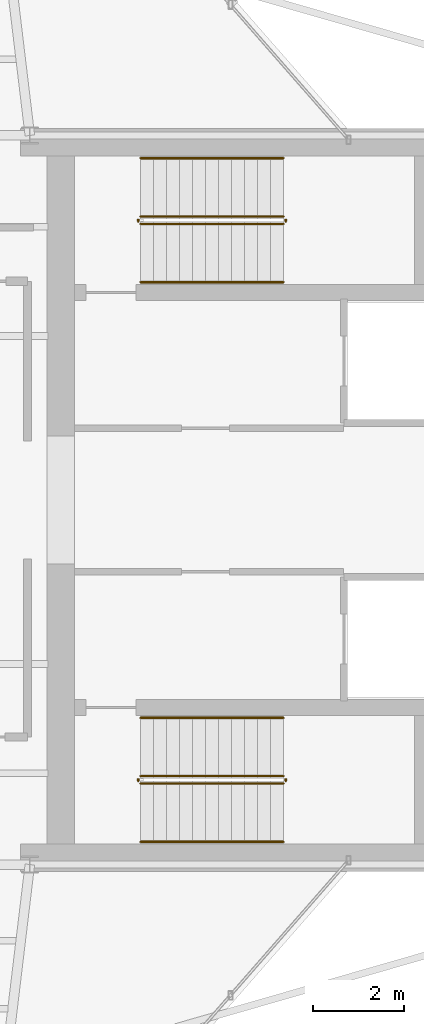
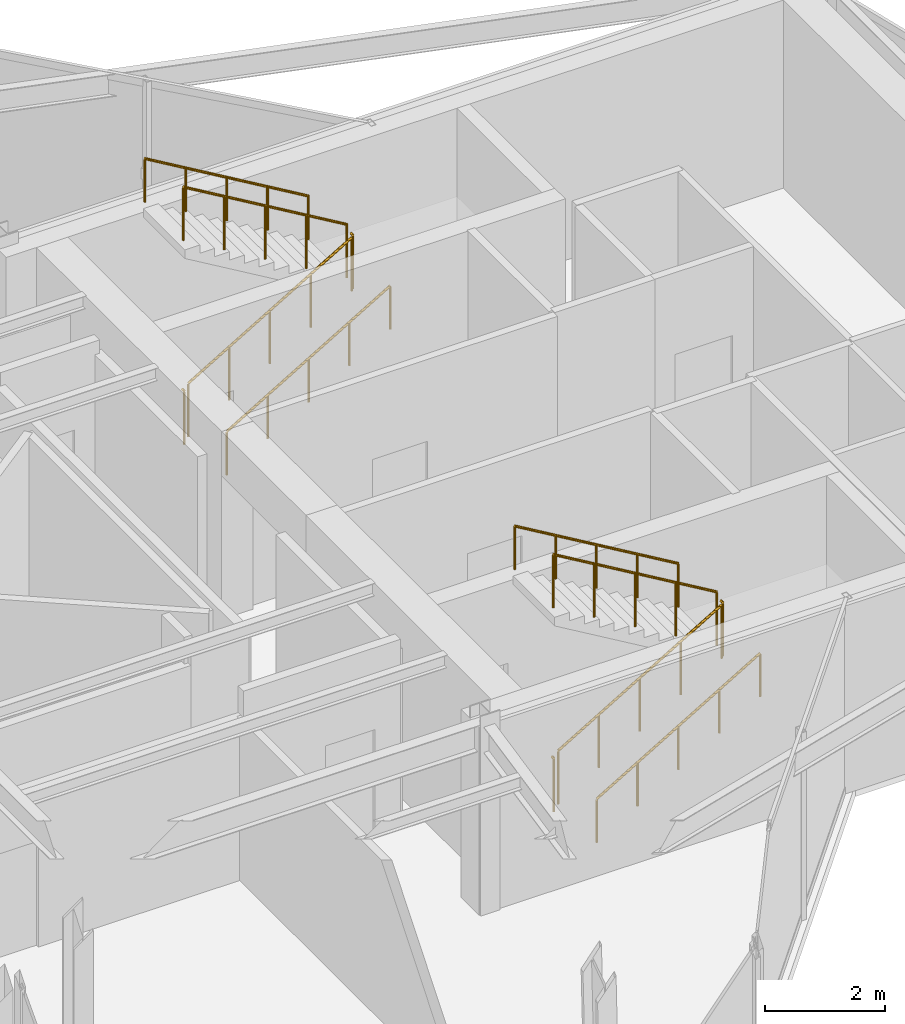
# One storey, part 13 of 13: 12 railings.
"""IFC4 building model written with IfcOpenShell, lengths in metres."""

from ifc_helpers import new_model, si_unit, direction, frame, origin, origin_2d, place, context, subcontext, project, spatial, circle, extrude, material, type_object, element, save


model = new_model("IFC4")

# Units and contexts
model_context = context("Model", 3, precision=1e-05, world=origin(), true_north=direction((0.0, 1.0)))
body_context = subcontext(model_context, "Body", "Model", "MODEL_VIEW")
ifc_project = project(units=[si_unit("LENGTHUNIT", "METRE"), si_unit("AREAUNIT", "SQUARE_METRE"), si_unit("VOLUMEUNIT", "CUBIC_METRE"), si_unit("PLANEANGLEUNIT", "RADIAN"), si_unit("MASSUNIT", "GRAM", prefix="KILO")], contexts=[model_context])

# Site, building, storey
site_placement = place(None, origin())
site = spatial("IfcSite", under=ifc_project, at=site_placement, CompositionType="ELEMENT")
building_placement = place(site_placement, origin())
building = spatial("IfcBuilding", under=site, at=building_placement, Name="Veymaron Broadcast Tower", CompositionType="ELEMENT")
storey_placement = place(building_placement, frame((0.0, 0.0, 274.949951171875)))
storey = spatial("IfcBuildingStorey", under=building, at=storey_placement, Name="L64", CompositionType="ELEMENT", Elevation=274.949951171875)

# Railings
ifc_material_1 = material(Name="Brushed stainless steel AISI 304", Category="steel")
railing_type_1 = type_object("IfcRailingType", Name="RAIL-STAIR-HR", PredefinedType="HANDRAIL", material=ifc_material_1)
railing_1_placement = place(storey_placement, frame((41.429931640625, 28.780029296875, 0.168701171875)))
element("IfcRailing", 1, at=railing_1_placement, inside=storey, type_object=railing_type_1, Name="L64 ST1 stair handrail 1", PredefinedType="HANDRAIL", context=body_context, shape_type="SweptSolid", body=[
    extrude(circle(Radius=0.02392578125, at=origin_2d()), frame((0.0, 0.0, 0.8759765625), z_axis=(0.860452582533, 0.0, 0.509530522356), x_axis=(0.0, 1.0, 0.0)), (0.0, 0.0, 1.0), 3.6435546875),
    extrude(circle(Radius=0.02099609375, at=origin_2d()), origin(), (0.0, 0.0, 1.0), 0.851806640625),
    extrude(circle(Radius=0.02099609375, at=origin_2d()), frame((0.78369140625, 0.0, 0.464111328125)), (0.0, 0.0, 1.0), 0.851806640625),
    extrude(circle(Radius=0.02099609375, at=origin_2d()), frame((1.5673828125, 0.0, 0.92822265625)), (0.0, 0.0, 1.0), 0.851806640625),
    extrude(circle(Radius=0.02099609375, at=origin_2d()), frame((2.351318359375, 0.0, 1.392333984375)), (0.0, 0.0, 1.0), 0.851806640625),
    extrude(circle(Radius=0.02099609375, at=origin_2d()), frame((3.135009765625, 0.0, 1.8564453125)), (0.0, 0.0, 1.0), 0.851806640625),
])
railing_2_placement = place(storey_placement, frame((44.56494140625, 31.5, 2.19384765625)))
element("IfcRailing", 2, at=railing_2_placement, inside=storey, type_object=railing_type_1, Name="L64 ST1 stair handrail 2", PredefinedType="HANDRAIL", context=body_context, shape_type="SweptSolid", body=[
    extrude(circle(Radius=0.02392578125, at=origin_2d()), frame((0.0, 0.0, 0.8759765625), z_axis=(-0.860481960309, 0.0, 0.509480908359), x_axis=(0.0, -1.0, 0.0)), (0.0, 0.0, 1.0), 3.643310546875),
    extrude(circle(Radius=0.02099609375, at=origin_2d()), origin(), (0.0, 0.0, 1.0), 0.851806640625),
    extrude(circle(Radius=0.02099609375, at=origin_2d()), frame((-0.78369140625, 0.0, 0.464111328125)), (0.0, 0.0, 1.0), 0.851806640625),
    extrude(circle(Radius=0.02099609375, at=origin_2d()), frame((-1.5673828125, 0.0, 0.92822265625)), (0.0, 0.0, 1.0), 0.851806640625),
    extrude(circle(Radius=0.02099609375, at=origin_2d()), frame((-2.351318359375, 0.0, 1.39208984375)), (0.0, 0.0, 1.0), 0.851806640625),
    extrude(circle(Radius=0.02099609375, at=origin_2d()), frame((-3.135009765625, 0.0, 1.856201171875)), (0.0, 0.0, 1.0), 0.851806640625),
])
railing_3_placement = place(storey_placement, frame((41.429931640625, 16.5, 0.168701171875)))
element("IfcRailing", 3, at=railing_3_placement, inside=storey, type_object=railing_type_1, Name="L64 ST2 stair handrail 1", PredefinedType="HANDRAIL", context=body_context, shape_type="SweptSolid", body=[
    extrude(circle(Radius=0.02392578125, at=origin_2d()), frame((0.0, 0.0, 0.8759765625), z_axis=(0.860452582533, 0.0, 0.509530522356), x_axis=(0.0, 1.0, 0.0)), (0.0, 0.0, 1.0), 3.6435546875),
    extrude(circle(Radius=0.02099609375, at=origin_2d()), origin(), (0.0, 0.0, 1.0), 0.851806640625),
    extrude(circle(Radius=0.02099609375, at=origin_2d()), frame((0.78369140625, 0.0, 0.464111328125)), (0.0, 0.0, 1.0), 0.851806640625),
    extrude(circle(Radius=0.02099609375, at=origin_2d()), frame((1.5673828125, 0.0, 0.92822265625)), (0.0, 0.0, 1.0), 0.851806640625),
    extrude(circle(Radius=0.02099609375, at=origin_2d()), frame((2.351318359375, 0.0, 1.392333984375)), (0.0, 0.0, 1.0), 0.851806640625),
    extrude(circle(Radius=0.02099609375, at=origin_2d()), frame((3.135009765625, 0.0, 1.8564453125)), (0.0, 0.0, 1.0), 0.851806640625),
])
railing_4_placement = place(storey_placement, frame((44.56494140625, 19.219970703125, 2.19384765625)))
element("IfcRailing", 4, at=railing_4_placement, inside=storey, type_object=railing_type_1, Name="L64 ST2 stair handrail 2", PredefinedType="HANDRAIL", context=body_context, shape_type="SweptSolid", body=[
    extrude(circle(Radius=0.02392578125, at=origin_2d()), frame((0.0, 0.0, 0.8759765625), z_axis=(-0.860481960309, 0.0, 0.509480908359), x_axis=(0.0, -1.0, 0.0)), (0.0, 0.0, 1.0), 3.643310546875),
    extrude(circle(Radius=0.02099609375, at=origin_2d()), origin(), (0.0, 0.0, 1.0), 0.851806640625),
    extrude(circle(Radius=0.02099609375, at=origin_2d()), frame((-0.78369140625, 0.0, 0.464111328125)), (0.0, 0.0, 1.0), 0.851806640625),
    extrude(circle(Radius=0.02099609375, at=origin_2d()), frame((-1.5673828125, 0.0, 0.92822265625)), (0.0, 0.0, 1.0), 0.851806640625),
    extrude(circle(Radius=0.02099609375, at=origin_2d()), frame((-2.351318359375, 0.0, 1.39208984375)), (0.0, 0.0, 1.0), 0.851806640625),
    extrude(circle(Radius=0.02099609375, at=origin_2d()), frame((-3.135009765625, 0.0, 1.856201171875)), (0.0, 0.0, 1.0), 0.851806640625),
])
ifc_material_2 = material(Name="Painted galvanized steel balustrade", Category="steel")
railing_type_2 = type_object("IfcRailingType", Name="RAIL-WELL-GRD", PredefinedType="GUARDRAIL", material=ifc_material_2)
railing_5_placement = place(storey_placement, frame((41.429931640625, 30.06005859375, 0.168701171875)))
element("IfcRailing", 5, at=railing_5_placement, inside=storey, type_object=railing_type_2, Name="L64 ST1 stair guard 1", PredefinedType="GUARDRAIL", context=body_context, shape_type="SweptSolid", body=[
    extrude(circle(Radius=0.02392578125, at=origin_2d()), frame((0.0, 0.0, 1.076171875), z_axis=(0.860452582533, 0.0, 0.509530522356), x_axis=(0.0, 1.0, 0.0)), (0.0, 0.0, 1.0), 3.6435546875),
    extrude(circle(Radius=0.02099609375, at=origin_2d()), origin(), (0.0, 0.0, 1.0), 1.052001953125),
    extrude(circle(Radius=0.02099609375, at=origin_2d()), frame((0.78369140625, 0.0, 0.464111328125)), (0.0, 0.0, 1.0), 1.052001953125),
    extrude(circle(Radius=0.02099609375, at=origin_2d()), frame((1.5673828125, 0.0, 0.92822265625)), (0.0, 0.0, 1.0), 1.052001953125),
    extrude(circle(Radius=0.02099609375, at=origin_2d()), frame((2.351318359375, 0.0, 1.392333984375)), (0.0, 0.0, 1.0), 1.052001953125),
    extrude(circle(Radius=0.02099609375, at=origin_2d()), frame((3.135009765625, 0.0, 1.8564453125)), (0.0, 0.0, 1.0), 1.052001953125),
])
railing_6_placement = place(storey_placement, frame((44.614990234375, 30.110107421875, 2.025146484375)))
element("IfcRailing", 6, at=railing_6_placement, inside=storey, type_object=railing_type_2, Name="L64 ST1 stair guard 2", PredefinedType="GUARDRAIL", context=body_context, shape_type="SweptSolid", body=[
    extrude(circle(Radius=0.02392578125, at=origin_2d()), frame((0.0, 0.0, 1.076171875), z_axis=(0.0, 1.0, 0.0), x_axis=(-1.0, 0.0, 0.0)), (0.0, 0.0, 1.0), 0.059814453125),
    extrude(circle(Radius=0.02099609375, at=origin_2d()), origin(), (0.0, 0.0, 1.0), 1.052001953125),
])
railing_7_placement = place(storey_placement, frame((44.56494140625, 30.219970703125, 2.19384765625)))
element("IfcRailing", 7, at=railing_7_placement, inside=storey, type_object=railing_type_2, Name="L64 ST1 stair guard 3", PredefinedType="GUARDRAIL", context=body_context, shape_type="SweptSolid", body=[
    extrude(circle(Radius=0.02392578125, at=origin_2d()), frame((0.0, 0.0, 1.076171875), z_axis=(-0.860481960309, 0.0, 0.509480908359), x_axis=(0.0, -1.0, 0.0)), (0.0, 0.0, 1.0), 3.643310546875),
    extrude(circle(Radius=0.02099609375, at=origin_2d()), origin(), (0.0, 0.0, 1.0), 1.052001953125),
    extrude(circle(Radius=0.02099609375, at=origin_2d()), frame((-0.78369140625, 0.0, 0.464111328125)), (0.0, 0.0, 1.0), 1.052001953125),
    extrude(circle(Radius=0.02099609375, at=origin_2d()), frame((-1.5673828125, 0.0, 0.92822265625)), (0.0, 0.0, 1.0), 1.052001953125),
    extrude(circle(Radius=0.02099609375, at=origin_2d()), frame((-2.351318359375, 0.0, 1.39208984375)), (0.0, 0.0, 1.0), 1.052001953125),
    extrude(circle(Radius=0.02099609375, at=origin_2d()), frame((-3.135009765625, 0.0, 1.856201171875)), (0.0, 0.0, 1.0), 1.052001953125),
])
railing_8_placement = place(storey_placement, frame((41.3798828125, 30.110107421875, 0.0)))
element("IfcRailing", 8, at=railing_8_placement, inside=storey, type_object=railing_type_2, Name="L64 ST1 stair guard 4", PredefinedType="GUARDRAIL", context=body_context, shape_type="SweptSolid", body=[
    extrude(circle(Radius=0.02392578125, at=origin_2d()), frame((0.0, 0.0, 1.076171875), z_axis=(0.0, 1.0, 0.0), x_axis=(-1.0, 0.0, 0.0)), (0.0, 0.0, 1.0), 0.059814453125),
    extrude(circle(Radius=0.02099609375, at=origin_2d()), origin(), (0.0, 0.0, 1.0), 1.052001953125),
])
railing_9_placement = place(storey_placement, frame((41.429931640625, 17.780029296875, 0.168701171875)))
element("IfcRailing", 9, at=railing_9_placement, inside=storey, type_object=railing_type_2, Name="L64 ST2 stair guard 1", PredefinedType="GUARDRAIL", context=body_context, shape_type="SweptSolid", body=[
    extrude(circle(Radius=0.02392578125, at=origin_2d()), frame((0.0, 0.0, 1.076171875), z_axis=(0.860452582533, 0.0, 0.509530522356), x_axis=(0.0, 1.0, 0.0)), (0.0, 0.0, 1.0), 3.6435546875),
    extrude(circle(Radius=0.02099609375, at=origin_2d()), origin(), (0.0, 0.0, 1.0), 1.052001953125),
    extrude(circle(Radius=0.02099609375, at=origin_2d()), frame((0.78369140625, 0.0, 0.464111328125)), (0.0, 0.0, 1.0), 1.052001953125),
    extrude(circle(Radius=0.02099609375, at=origin_2d()), frame((1.5673828125, 0.0, 0.92822265625)), (0.0, 0.0, 1.0), 1.052001953125),
    extrude(circle(Radius=0.02099609375, at=origin_2d()), frame((2.351318359375, 0.0, 1.392333984375)), (0.0, 0.0, 1.0), 1.052001953125),
    extrude(circle(Radius=0.02099609375, at=origin_2d()), frame((3.135009765625, 0.0, 1.8564453125)), (0.0, 0.0, 1.0), 1.052001953125),
])
railing_10_placement = place(storey_placement, frame((44.614990234375, 17.830078125, 2.025146484375)))
element("IfcRailing", 10, at=railing_10_placement, inside=storey, type_object=railing_type_2, Name="L64 ST2 stair guard 2", PredefinedType="GUARDRAIL", context=body_context, shape_type="SweptSolid", body=[
    extrude(circle(Radius=0.02392578125, at=origin_2d()), frame((0.0, 0.0, 1.076171875), z_axis=(0.0, 1.0, 0.0), x_axis=(-1.0, 0.0, 0.0)), (0.0, 0.0, 1.0), 0.059814453125),
    extrude(circle(Radius=0.02099609375, at=origin_2d()), origin(), (0.0, 0.0, 1.0), 1.052001953125),
])
railing_11_placement = place(storey_placement, frame((44.56494140625, 17.93994140625, 2.19384765625)))
element("IfcRailing", 11, at=railing_11_placement, inside=storey, type_object=railing_type_2, Name="L64 ST2 stair guard 3", PredefinedType="GUARDRAIL", context=body_context, shape_type="SweptSolid", body=[
    extrude(circle(Radius=0.02392578125, at=origin_2d()), frame((0.0, 0.0, 1.076171875), z_axis=(-0.860481960309, 0.0, 0.509480908359), x_axis=(0.0, -1.0, 0.0)), (0.0, 0.0, 1.0), 3.643310546875),
    extrude(circle(Radius=0.02099609375, at=origin_2d()), origin(), (0.0, 0.0, 1.0), 1.052001953125),
    extrude(circle(Radius=0.02099609375, at=origin_2d()), frame((-0.78369140625, 0.0, 0.464111328125)), (0.0, 0.0, 1.0), 1.052001953125),
    extrude(circle(Radius=0.02099609375, at=origin_2d()), frame((-1.5673828125, 0.0, 0.92822265625)), (0.0, 0.0, 1.0), 1.052001953125),
    extrude(circle(Radius=0.02099609375, at=origin_2d()), frame((-2.351318359375, 0.0, 1.39208984375)), (0.0, 0.0, 1.0), 1.052001953125),
    extrude(circle(Radius=0.02099609375, at=origin_2d()), frame((-3.135009765625, 0.0, 1.856201171875)), (0.0, 0.0, 1.0), 1.052001953125),
])
railing_12_placement = place(storey_placement, frame((41.3798828125, 17.830078125, 0.0)))
element("IfcRailing", 12, at=railing_12_placement, inside=storey, type_object=railing_type_2, Name="L64 ST2 stair guard 4", PredefinedType="GUARDRAIL", context=body_context, shape_type="SweptSolid", body=[
    extrude(circle(Radius=0.02392578125, at=origin_2d()), frame((0.0, 0.0, 1.076171875), z_axis=(0.0, 1.0, 0.0), x_axis=(-1.0, 0.0, 0.0)), (0.0, 0.0, 1.0), 0.059814453125),
    extrude(circle(Radius=0.02099609375, at=origin_2d()), origin(), (0.0, 0.0, 1.0), 1.052001953125),
])

save(model, "model.ifc")
